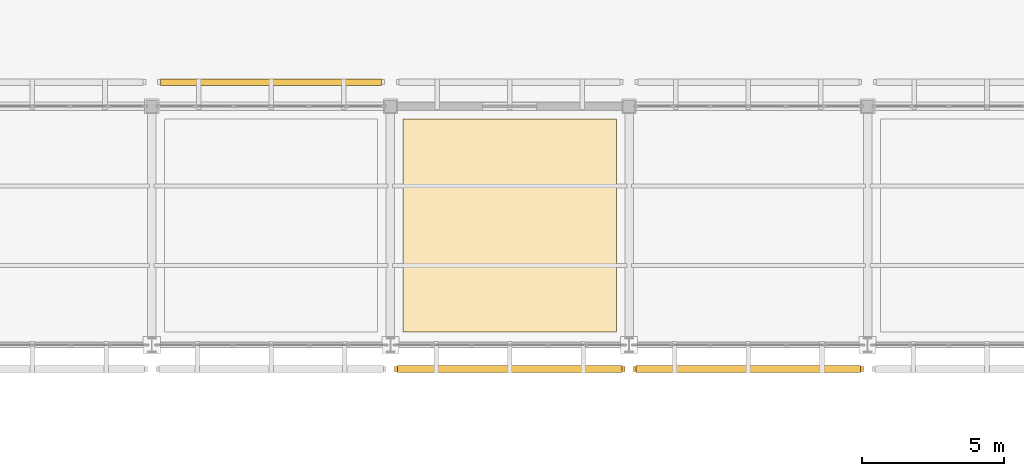
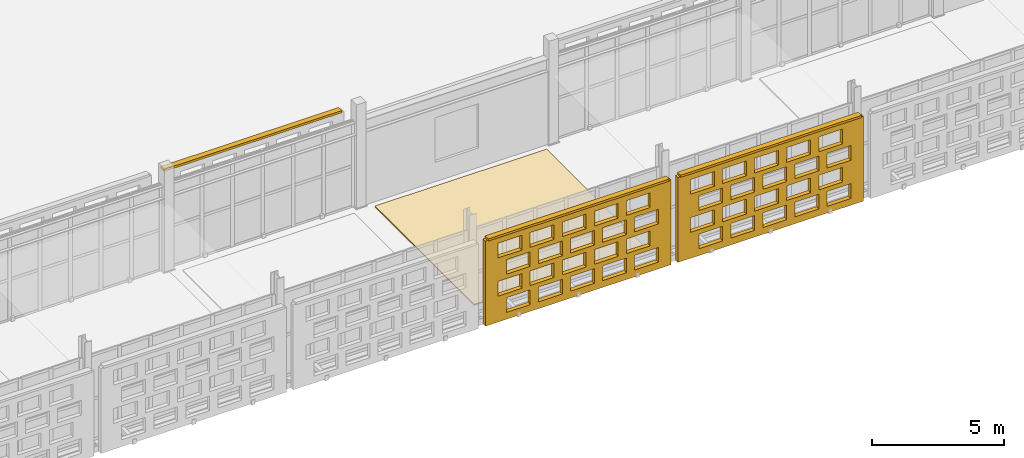
# One storey, part 170 of 203: 3 coverings, 3 shading devices, 40 openings.
"""IFC4 building model written with IfcOpenShell, lengths in metres."""

from ifc_helpers import new_model, si_unit, direction, frame, frame_2d, origin, origin_2d, place, context, subcontext, project, spatial, rectangle, extrude, material, layer, layer_set, type_object, element, save


model = new_model("IFC4")

# Units and contexts
model_context = context("Model", 3, precision=1e-05, world=origin(), true_north=direction((0.0, 1.0)))
body_context = subcontext(model_context, "Body", "Model", "MODEL_VIEW")
ifc_project = project(units=[si_unit("LENGTHUNIT", "METRE"), si_unit("AREAUNIT", "SQUARE_METRE"), si_unit("VOLUMEUNIT", "CUBIC_METRE"), si_unit("PLANEANGLEUNIT", "RADIAN"), si_unit("MASSUNIT", "GRAM", prefix="KILO")], contexts=[model_context])

# Site, building, storey
site_placement = place(None, origin())
site = spatial("IfcSite", under=ifc_project, at=site_placement, CompositionType="ELEMENT")
building_placement = place(site_placement, origin())
building = spatial("IfcBuilding", under=site, at=building_placement, Name="Varnapada Polytechnic", CompositionType="ELEMENT")
storey_placement = place(building_placement, frame((0.0, 0.0, 4.800048828125)))
storey = spatial("IfcBuildingStorey", under=building, at=storey_placement, Name="L01", CompositionType="ELEMENT", Elevation=4.800048828125)

# Covering
ifc_material_1 = material(Name="End-Grain Timber Studio Block Flooring", Category="wood")
ifc_layer_1 = layer(ifc_material_1, 0.054931640625)
ifc_layer_set_1 = layer_set([ifc_layer_1], Name="End-Grain Timber Studio Block Flooring")
covering_type_1 = type_object("IfcCoveringType", Name="Floor Finish FLR-04", PredefinedType="FLOORING", material=ifc_layer_set_1)
covering_1_placement = place(storey_placement, frame((79.800048828125, 88.199951171875, 0.0), z_axis=(0.0, 0.0, 1.0), x_axis=(1.0, 0.0, 0.0)))
element("IfcCovering", 1, at=covering_1_placement, inside=storey, type_object=covering_type_1, Name="L01 floor finish panel (10,11)", PredefinedType="FLOORING", context=body_context, shape_type="SweptSolid", body=[
    extrude(rectangle(XDim=7.5, YDim=7.5, at=origin_2d()), origin(), (0.0, 0.0, 1.0), 0.054931640625),
])

# Covering, openings
ifc_material_2 = material(Name="Earth-toned architectural terracotta screen block", Category="masonry")
ifc_layer_2 = layer(ifc_material_2, 0.1201171875)
ifc_layer_set_2 = layer_set([ifc_layer_2], Name="Earth-toned architectural terracotta screen block")
covering_type_2 = type_object("IfcCoveringType", Name="Terracotta Screen Cladding CLD-01", PredefinedType="CLADDING", material=ifc_layer_set_2)
covering_2_placement = place(storey_placement, frame((83.85009765625, 83.14990234375, 0.0), z_axis=(0.0, 0.0, 1.0), x_axis=(-1.0, 0.0, 0.0)))
covering_2 = element("IfcCovering", 2, at=covering_2_placement, inside=storey, type_object=covering_type_2, Name="L01 perforated terracotta block screen (68)", PredefinedType="CLADDING", context=body_context, shape_type="SweptSolid", body=[
    extrude(rectangle(XDim=8.10009765625, YDim=0.179931640625, at=frame_2d((4.050048828125, 0.0))), origin(), (0.0, 0.0, 1.0), 3.919921875),
])
opening_1_placement = place(covering_2_placement, frame((0.550048828125, 0.0, 0.313720703125)))
element("IfcOpeningElement", 3, at=opening_1_placement, cuts=covering_2, Name="Screen perforation TBS-L01-067.1", PredefinedType="OPENING", context=body_context, shape_type="SweptSolid", body=[
    extrude(rectangle(XDim=1.0400390625, YDim=0.679931640625, at=frame_2d((0.52001953125, 0.33984375))), frame((0.0, 0.099853515625, 0.0), z_axis=(0.0, -1.0, 0.0), x_axis=(1.0, 0.0, 0.0)), (0.0, 0.0, 1.0), 0.199951171875),
])
opening_2_placement = place(covering_2_placement, frame((1.949951171875, 0.0, 0.313720703125)))
element("IfcOpeningElement", 4, at=opening_2_placement, cuts=covering_2, Name="Screen perforation TBS-L01-067.2", PredefinedType="OPENING", context=body_context, shape_type="SweptSolid", body=[
    extrude(rectangle(XDim=1.0400390625, YDim=0.679931640625, at=frame_2d((0.52001953125, 0.33984375))), frame((0.0, 0.099853515625, 0.0), z_axis=(0.0, -1.0, 0.0), x_axis=(1.0, 0.0, 0.0)), (0.0, 0.0, 1.0), 0.199951171875),
])
opening_3_placement = place(covering_2_placement, frame((3.35009765625, 0.0, 0.313720703125)))
element("IfcOpeningElement", 5, at=opening_3_placement, cuts=covering_2, Name="Screen perforation TBS-L01-067.3", PredefinedType="OPENING", context=body_context, shape_type="SweptSolid", body=[
    extrude(rectangle(XDim=1.0400390625, YDim=0.679931640625, at=frame_2d((0.52001953125, 0.33984375))), frame((0.0, 0.099853515625, 0.0), z_axis=(0.0, -1.0, 0.0), x_axis=(1.0, 0.0, 0.0)), (0.0, 0.0, 1.0), 0.199951171875),
])
opening_4_placement = place(covering_2_placement, frame((4.75, 0.0, 0.313720703125)))
element("IfcOpeningElement", 6, at=opening_4_placement, cuts=covering_2, Name="Screen perforation TBS-L01-067.4", PredefinedType="OPENING", context=body_context, shape_type="SweptSolid", body=[
    extrude(rectangle(XDim=1.0400390625, YDim=0.679931640625, at=frame_2d((0.52001953125, 0.33984375))), frame((0.0, 0.099853515625, 0.0), z_axis=(0.0, -1.0, 0.0), x_axis=(1.0, 0.0, 0.0)), (0.0, 0.0, 1.0), 0.199951171875),
])
opening_5_placement = place(covering_2_placement, frame((6.14990234375, 0.0, 0.313720703125)))
element("IfcOpeningElement", 7, at=opening_5_placement, cuts=covering_2, Name="Screen perforation TBS-L01-067.5", PredefinedType="OPENING", context=body_context, shape_type="SweptSolid", body=[
    extrude(rectangle(XDim=1.0400390625, YDim=0.679931640625, at=frame_2d((0.52001953125, 0.33984375))), frame((0.0, 0.099853515625, 0.0), z_axis=(0.0, -1.0, 0.0), x_axis=(1.0, 0.0, 0.0)), (0.0, 0.0, 1.0), 0.199951171875),
])
opening_6_placement = place(covering_2_placement, frame((0.909912109375, 0.0, 1.195556640625)))
element("IfcOpeningElement", 8, at=opening_6_placement, cuts=covering_2, Name="Screen perforation TBS-L01-067.6", PredefinedType="OPENING", context=body_context, shape_type="SweptSolid", body=[
    extrude(rectangle(XDim=1.0400390625, YDim=0.679931640625, at=frame_2d((0.52001953125, 0.33984375))), frame((0.0, 0.099853515625, 0.0), z_axis=(0.0, -1.0, 0.0), x_axis=(1.0, 0.0, 0.0)), (0.0, 0.0, 1.0), 0.199951171875),
])
opening_7_placement = place(covering_2_placement, frame((2.31005859375, 0.0, 1.195556640625)))
element("IfcOpeningElement", 9, at=opening_7_placement, cuts=covering_2, Name="Screen perforation TBS-L01-067.7", PredefinedType="OPENING", context=body_context, shape_type="SweptSolid", body=[
    extrude(rectangle(XDim=1.0400390625, YDim=0.679931640625, at=frame_2d((0.52001953125, 0.33984375))), frame((0.0, 0.099853515625, 0.0), z_axis=(0.0, -1.0, 0.0), x_axis=(1.0, 0.0, 0.0)), (0.0, 0.0, 1.0), 0.199951171875),
])
opening_8_placement = place(covering_2_placement, frame((3.7099609375, 0.0, 1.195556640625)))
element("IfcOpeningElement", 10, at=opening_8_placement, cuts=covering_2, Name="Screen perforation TBS-L01-067.8", PredefinedType="OPENING", context=body_context, shape_type="SweptSolid", body=[
    extrude(rectangle(XDim=1.0400390625, YDim=0.679931640625, at=frame_2d((0.52001953125, 0.33984375))), frame((0.0, 0.099853515625, 0.0), z_axis=(0.0, -1.0, 0.0), x_axis=(1.0, 0.0, 0.0)), (0.0, 0.0, 1.0), 0.199951171875),
])
opening_9_placement = place(covering_2_placement, frame((5.110107421875, 0.0, 1.195556640625)))
element("IfcOpeningElement", 11, at=opening_9_placement, cuts=covering_2, Name="Screen perforation TBS-L01-067.9", PredefinedType="OPENING", context=body_context, shape_type="SweptSolid", body=[
    extrude(rectangle(XDim=1.0400390625, YDim=0.679931640625, at=frame_2d((0.52001953125, 0.33984375))), frame((0.0, 0.099853515625, 0.0), z_axis=(0.0, -1.0, 0.0), x_axis=(1.0, 0.0, 0.0)), (0.0, 0.0, 1.0), 0.199951171875),
])
opening_10_placement = place(covering_2_placement, frame((6.510009765625, 0.0, 1.195556640625)))
element("IfcOpeningElement", 12, at=opening_10_placement, cuts=covering_2, Name="Screen perforation TBS-L01-067.10", PredefinedType="OPENING", context=body_context, shape_type="SweptSolid", body=[
    extrude(rectangle(XDim=1.0400390625, YDim=0.679931640625, at=frame_2d((0.52001953125, 0.33984375))), frame((0.0, 0.099853515625, 0.0), z_axis=(0.0, -1.0, 0.0), x_axis=(1.0, 0.0, 0.0)), (0.0, 0.0, 1.0), 0.199951171875),
])
opening_11_placement = place(covering_2_placement, frame((0.550048828125, 0.0, 2.07763671875)))
element("IfcOpeningElement", 13, at=opening_11_placement, cuts=covering_2, Name="Screen perforation TBS-L01-067.11", PredefinedType="OPENING", context=body_context, shape_type="SweptSolid", body=[
    extrude(rectangle(XDim=1.0400390625, YDim=0.679931640625, at=frame_2d((0.52001953125, 0.33984375))), frame((0.0, 0.099853515625, 0.0), z_axis=(0.0, -1.0, 0.0), x_axis=(1.0, 0.0, 0.0)), (0.0, 0.0, 1.0), 0.199951171875),
])
opening_12_placement = place(covering_2_placement, frame((1.949951171875, 0.0, 2.07763671875)))
element("IfcOpeningElement", 14, at=opening_12_placement, cuts=covering_2, Name="Screen perforation TBS-L01-067.12", PredefinedType="OPENING", context=body_context, shape_type="SweptSolid", body=[
    extrude(rectangle(XDim=1.0400390625, YDim=0.679931640625, at=frame_2d((0.52001953125, 0.33984375))), frame((0.0, 0.099853515625, 0.0), z_axis=(0.0, -1.0, 0.0), x_axis=(1.0, 0.0, 0.0)), (0.0, 0.0, 1.0), 0.199951171875),
])
opening_13_placement = place(covering_2_placement, frame((3.35009765625, 0.0, 2.07763671875)))
element("IfcOpeningElement", 15, at=opening_13_placement, cuts=covering_2, Name="Screen perforation TBS-L01-067.13", PredefinedType="OPENING", context=body_context, shape_type="SweptSolid", body=[
    extrude(rectangle(XDim=1.0400390625, YDim=0.679931640625, at=frame_2d((0.52001953125, 0.33984375))), frame((0.0, 0.099853515625, 0.0), z_axis=(0.0, -1.0, 0.0), x_axis=(1.0, 0.0, 0.0)), (0.0, 0.0, 1.0), 0.199951171875),
])
opening_14_placement = place(covering_2_placement, frame((4.75, 0.0, 2.07763671875)))
element("IfcOpeningElement", 16, at=opening_14_placement, cuts=covering_2, Name="Screen perforation TBS-L01-067.14", PredefinedType="OPENING", context=body_context, shape_type="SweptSolid", body=[
    extrude(rectangle(XDim=1.0400390625, YDim=0.679931640625, at=frame_2d((0.52001953125, 0.33984375))), frame((0.0, 0.099853515625, 0.0), z_axis=(0.0, -1.0, 0.0), x_axis=(1.0, 0.0, 0.0)), (0.0, 0.0, 1.0), 0.199951171875),
])
opening_15_placement = place(covering_2_placement, frame((6.14990234375, 0.0, 2.07763671875)))
element("IfcOpeningElement", 17, at=opening_15_placement, cuts=covering_2, Name="Screen perforation TBS-L01-067.15", PredefinedType="OPENING", context=body_context, shape_type="SweptSolid", body=[
    extrude(rectangle(XDim=1.0400390625, YDim=0.679931640625, at=frame_2d((0.52001953125, 0.33984375))), frame((0.0, 0.099853515625, 0.0), z_axis=(0.0, -1.0, 0.0), x_axis=(1.0, 0.0, 0.0)), (0.0, 0.0, 1.0), 0.199951171875),
])
opening_16_placement = place(covering_2_placement, frame((0.909912109375, 0.0, 2.959716796875)))
element("IfcOpeningElement", 18, at=opening_16_placement, cuts=covering_2, Name="Screen perforation TBS-L01-067.16", PredefinedType="OPENING", context=body_context, shape_type="SweptSolid", body=[
    extrude(rectangle(XDim=1.0400390625, YDim=0.679931640625, at=frame_2d((0.52001953125, 0.33984375))), frame((0.0, 0.099853515625, 0.0), z_axis=(0.0, -1.0, 0.0), x_axis=(1.0, 0.0, 0.0)), (0.0, 0.0, 1.0), 0.199951171875),
])
opening_17_placement = place(covering_2_placement, frame((2.31005859375, 0.0, 2.959716796875)))
element("IfcOpeningElement", 19, at=opening_17_placement, cuts=covering_2, Name="Screen perforation TBS-L01-067.17", PredefinedType="OPENING", context=body_context, shape_type="SweptSolid", body=[
    extrude(rectangle(XDim=1.0400390625, YDim=0.679931640625, at=frame_2d((0.52001953125, 0.33984375))), frame((0.0, 0.099853515625, 0.0), z_axis=(0.0, -1.0, 0.0), x_axis=(1.0, 0.0, 0.0)), (0.0, 0.0, 1.0), 0.199951171875),
])
opening_18_placement = place(covering_2_placement, frame((3.7099609375, 0.0, 2.959716796875)))
element("IfcOpeningElement", 20, at=opening_18_placement, cuts=covering_2, Name="Screen perforation TBS-L01-067.18", PredefinedType="OPENING", context=body_context, shape_type="SweptSolid", body=[
    extrude(rectangle(XDim=1.0400390625, YDim=0.679931640625, at=frame_2d((0.52001953125, 0.33984375))), frame((0.0, 0.099853515625, 0.0), z_axis=(0.0, -1.0, 0.0), x_axis=(1.0, 0.0, 0.0)), (0.0, 0.0, 1.0), 0.199951171875),
])
opening_19_placement = place(covering_2_placement, frame((5.110107421875, 0.0, 2.959716796875)))
element("IfcOpeningElement", 21, at=opening_19_placement, cuts=covering_2, Name="Screen perforation TBS-L01-067.19", PredefinedType="OPENING", context=body_context, shape_type="SweptSolid", body=[
    extrude(rectangle(XDim=1.0400390625, YDim=0.679931640625, at=frame_2d((0.52001953125, 0.33984375))), frame((0.0, 0.099853515625, 0.0), z_axis=(0.0, -1.0, 0.0), x_axis=(1.0, 0.0, 0.0)), (0.0, 0.0, 1.0), 0.199951171875),
])
opening_20_placement = place(covering_2_placement, frame((6.510009765625, 0.0, 2.959716796875)))
element("IfcOpeningElement", 22, at=opening_20_placement, cuts=covering_2, Name="Screen perforation TBS-L01-067.20", PredefinedType="OPENING", context=body_context, shape_type="SweptSolid", body=[
    extrude(rectangle(XDim=1.0400390625, YDim=0.679931640625, at=frame_2d((0.52001953125, 0.33984375))), frame((0.0, 0.099853515625, 0.0), z_axis=(0.0, -1.0, 0.0), x_axis=(1.0, 0.0, 0.0)), (0.0, 0.0, 1.0), 0.199951171875),
])

covering_3_placement = place(storey_placement, frame((92.25, 83.14990234375, 0.0), z_axis=(0.0, 0.0, 1.0), x_axis=(-1.0, 0.0, 0.0)))
covering_3 = element("IfcCovering", 23, at=covering_3_placement, inside=storey, type_object=covering_type_2, Name="L01 perforated terracotta block screen (74)", PredefinedType="CLADDING", context=body_context, shape_type="SweptSolid", body=[
    extrude(rectangle(XDim=8.10009765625, YDim=0.179931640625, at=frame_2d((4.050048828125, 0.0))), origin(), (0.0, 0.0, 1.0), 3.919921875),
])
opening_21_placement = place(covering_3_placement, frame((0.550048828125, 0.0, 0.313720703125)))
element("IfcOpeningElement", 24, at=opening_21_placement, cuts=covering_3, Name="Screen perforation TBS-L01-073.1", PredefinedType="OPENING", context=body_context, shape_type="SweptSolid", body=[
    extrude(rectangle(XDim=1.0400390625, YDim=0.679931640625, at=frame_2d((0.52001953125, 0.33984375))), frame((0.0, 0.099853515625, 0.0), z_axis=(0.0, -1.0, 0.0), x_axis=(1.0, 0.0, 0.0)), (0.0, 0.0, 1.0), 0.199951171875),
])
opening_22_placement = place(covering_3_placement, frame((1.949951171875, 0.0, 0.313720703125)))
element("IfcOpeningElement", 25, at=opening_22_placement, cuts=covering_3, Name="Screen perforation TBS-L01-073.2", PredefinedType="OPENING", context=body_context, shape_type="SweptSolid", body=[
    extrude(rectangle(XDim=1.0400390625, YDim=0.679931640625, at=frame_2d((0.52001953125, 0.33984375))), frame((0.0, 0.099853515625, 0.0), z_axis=(0.0, -1.0, 0.0), x_axis=(1.0, 0.0, 0.0)), (0.0, 0.0, 1.0), 0.199951171875),
])
opening_23_placement = place(covering_3_placement, frame((3.35009765625, 0.0, 0.313720703125)))
element("IfcOpeningElement", 26, at=opening_23_placement, cuts=covering_3, Name="Screen perforation TBS-L01-073.3", PredefinedType="OPENING", context=body_context, shape_type="SweptSolid", body=[
    extrude(rectangle(XDim=1.0400390625, YDim=0.679931640625, at=frame_2d((0.52001953125, 0.33984375))), frame((0.0, 0.099853515625, 0.0), z_axis=(0.0, -1.0, 0.0), x_axis=(1.0, 0.0, 0.0)), (0.0, 0.0, 1.0), 0.199951171875),
])
opening_24_placement = place(covering_3_placement, frame((4.75, 0.0, 0.313720703125)))
element("IfcOpeningElement", 27, at=opening_24_placement, cuts=covering_3, Name="Screen perforation TBS-L01-073.4", PredefinedType="OPENING", context=body_context, shape_type="SweptSolid", body=[
    extrude(rectangle(XDim=1.0400390625, YDim=0.679931640625, at=frame_2d((0.52001953125, 0.33984375))), frame((0.0, 0.099853515625, 0.0), z_axis=(0.0, -1.0, 0.0), x_axis=(1.0, 0.0, 0.0)), (0.0, 0.0, 1.0), 0.199951171875),
])
opening_25_placement = place(covering_3_placement, frame((6.14990234375, 0.0, 0.313720703125)))
element("IfcOpeningElement", 28, at=opening_25_placement, cuts=covering_3, Name="Screen perforation TBS-L01-073.5", PredefinedType="OPENING", context=body_context, shape_type="SweptSolid", body=[
    extrude(rectangle(XDim=1.0400390625, YDim=0.679931640625, at=frame_2d((0.52001953125, 0.33984375))), frame((0.0, 0.099853515625, 0.0), z_axis=(0.0, -1.0, 0.0), x_axis=(1.0, 0.0, 0.0)), (0.0, 0.0, 1.0), 0.199951171875),
])
opening_26_placement = place(covering_3_placement, frame((0.909912109375, 0.0, 1.195556640625)))
element("IfcOpeningElement", 29, at=opening_26_placement, cuts=covering_3, Name="Screen perforation TBS-L01-073.6", PredefinedType="OPENING", context=body_context, shape_type="SweptSolid", body=[
    extrude(rectangle(XDim=1.0400390625, YDim=0.679931640625, at=frame_2d((0.52001953125, 0.33984375))), frame((0.0, 0.099853515625, 0.0), z_axis=(0.0, -1.0, 0.0), x_axis=(1.0, 0.0, 0.0)), (0.0, 0.0, 1.0), 0.199951171875),
])
opening_27_placement = place(covering_3_placement, frame((2.31005859375, 0.0, 1.195556640625)))
element("IfcOpeningElement", 30, at=opening_27_placement, cuts=covering_3, Name="Screen perforation TBS-L01-073.7", PredefinedType="OPENING", context=body_context, shape_type="SweptSolid", body=[
    extrude(rectangle(XDim=1.0400390625, YDim=0.679931640625, at=frame_2d((0.52001953125, 0.33984375))), frame((0.0, 0.099853515625, 0.0), z_axis=(0.0, -1.0, 0.0), x_axis=(1.0, 0.0, 0.0)), (0.0, 0.0, 1.0), 0.199951171875),
])
opening_28_placement = place(covering_3_placement, frame((3.7099609375, 0.0, 1.195556640625)))
element("IfcOpeningElement", 31, at=opening_28_placement, cuts=covering_3, Name="Screen perforation TBS-L01-073.8", PredefinedType="OPENING", context=body_context, shape_type="SweptSolid", body=[
    extrude(rectangle(XDim=1.0400390625, YDim=0.679931640625, at=frame_2d((0.52001953125, 0.33984375))), frame((0.0, 0.099853515625, 0.0), z_axis=(0.0, -1.0, 0.0), x_axis=(1.0, 0.0, 0.0)), (0.0, 0.0, 1.0), 0.199951171875),
])
opening_29_placement = place(covering_3_placement, frame((5.110107421875, 0.0, 1.195556640625)))
element("IfcOpeningElement", 32, at=opening_29_placement, cuts=covering_3, Name="Screen perforation TBS-L01-073.9", PredefinedType="OPENING", context=body_context, shape_type="SweptSolid", body=[
    extrude(rectangle(XDim=1.0400390625, YDim=0.679931640625, at=frame_2d((0.52001953125, 0.33984375))), frame((0.0, 0.099853515625, 0.0), z_axis=(0.0, -1.0, 0.0), x_axis=(1.0, 0.0, 0.0)), (0.0, 0.0, 1.0), 0.199951171875),
])
opening_30_placement = place(covering_3_placement, frame((6.510009765625, 0.0, 1.195556640625)))
element("IfcOpeningElement", 33, at=opening_30_placement, cuts=covering_3, Name="Screen perforation TBS-L01-073.10", PredefinedType="OPENING", context=body_context, shape_type="SweptSolid", body=[
    extrude(rectangle(XDim=1.0400390625, YDim=0.679931640625, at=frame_2d((0.52001953125, 0.33984375))), frame((0.0, 0.099853515625, 0.0), z_axis=(0.0, -1.0, 0.0), x_axis=(1.0, 0.0, 0.0)), (0.0, 0.0, 1.0), 0.199951171875),
])
opening_31_placement = place(covering_3_placement, frame((0.550048828125, 0.0, 2.07763671875)))
element("IfcOpeningElement", 34, at=opening_31_placement, cuts=covering_3, Name="Screen perforation TBS-L01-073.11", PredefinedType="OPENING", context=body_context, shape_type="SweptSolid", body=[
    extrude(rectangle(XDim=1.0400390625, YDim=0.679931640625, at=frame_2d((0.52001953125, 0.33984375))), frame((0.0, 0.099853515625, 0.0), z_axis=(0.0, -1.0, 0.0), x_axis=(1.0, 0.0, 0.0)), (0.0, 0.0, 1.0), 0.199951171875),
])
opening_32_placement = place(covering_3_placement, frame((1.949951171875, 0.0, 2.07763671875)))
element("IfcOpeningElement", 35, at=opening_32_placement, cuts=covering_3, Name="Screen perforation TBS-L01-073.12", PredefinedType="OPENING", context=body_context, shape_type="SweptSolid", body=[
    extrude(rectangle(XDim=1.0400390625, YDim=0.679931640625, at=frame_2d((0.52001953125, 0.33984375))), frame((0.0, 0.099853515625, 0.0), z_axis=(0.0, -1.0, 0.0), x_axis=(1.0, 0.0, 0.0)), (0.0, 0.0, 1.0), 0.199951171875),
])
opening_33_placement = place(covering_3_placement, frame((3.35009765625, 0.0, 2.07763671875)))
element("IfcOpeningElement", 36, at=opening_33_placement, cuts=covering_3, Name="Screen perforation TBS-L01-073.13", PredefinedType="OPENING", context=body_context, shape_type="SweptSolid", body=[
    extrude(rectangle(XDim=1.0400390625, YDim=0.679931640625, at=frame_2d((0.52001953125, 0.33984375))), frame((0.0, 0.099853515625, 0.0), z_axis=(0.0, -1.0, 0.0), x_axis=(1.0, 0.0, 0.0)), (0.0, 0.0, 1.0), 0.199951171875),
])
opening_34_placement = place(covering_3_placement, frame((4.75, 0.0, 2.07763671875)))
element("IfcOpeningElement", 37, at=opening_34_placement, cuts=covering_3, Name="Screen perforation TBS-L01-073.14", PredefinedType="OPENING", context=body_context, shape_type="SweptSolid", body=[
    extrude(rectangle(XDim=1.0400390625, YDim=0.679931640625, at=frame_2d((0.52001953125, 0.33984375))), frame((0.0, 0.099853515625, 0.0), z_axis=(0.0, -1.0, 0.0), x_axis=(1.0, 0.0, 0.0)), (0.0, 0.0, 1.0), 0.199951171875),
])
opening_35_placement = place(covering_3_placement, frame((6.14990234375, 0.0, 2.07763671875)))
element("IfcOpeningElement", 38, at=opening_35_placement, cuts=covering_3, Name="Screen perforation TBS-L01-073.15", PredefinedType="OPENING", context=body_context, shape_type="SweptSolid", body=[
    extrude(rectangle(XDim=1.0400390625, YDim=0.679931640625, at=frame_2d((0.52001953125, 0.33984375))), frame((0.0, 0.099853515625, 0.0), z_axis=(0.0, -1.0, 0.0), x_axis=(1.0, 0.0, 0.0)), (0.0, 0.0, 1.0), 0.199951171875),
])
opening_36_placement = place(covering_3_placement, frame((0.909912109375, 0.0, 2.959716796875)))
element("IfcOpeningElement", 39, at=opening_36_placement, cuts=covering_3, Name="Screen perforation TBS-L01-073.16", PredefinedType="OPENING", context=body_context, shape_type="SweptSolid", body=[
    extrude(rectangle(XDim=1.0400390625, YDim=0.679931640625, at=frame_2d((0.52001953125, 0.33984375))), frame((0.0, 0.099853515625, 0.0), z_axis=(0.0, -1.0, 0.0), x_axis=(1.0, 0.0, 0.0)), (0.0, 0.0, 1.0), 0.199951171875),
])
opening_37_placement = place(covering_3_placement, frame((2.31005859375, 0.0, 2.959716796875)))
element("IfcOpeningElement", 40, at=opening_37_placement, cuts=covering_3, Name="Screen perforation TBS-L01-073.17", PredefinedType="OPENING", context=body_context, shape_type="SweptSolid", body=[
    extrude(rectangle(XDim=1.0400390625, YDim=0.679931640625, at=frame_2d((0.52001953125, 0.33984375))), frame((0.0, 0.099853515625, 0.0), z_axis=(0.0, -1.0, 0.0), x_axis=(1.0, 0.0, 0.0)), (0.0, 0.0, 1.0), 0.199951171875),
])
opening_38_placement = place(covering_3_placement, frame((3.7099609375, 0.0, 2.959716796875)))
element("IfcOpeningElement", 41, at=opening_38_placement, cuts=covering_3, Name="Screen perforation TBS-L01-073.18", PredefinedType="OPENING", context=body_context, shape_type="SweptSolid", body=[
    extrude(rectangle(XDim=1.0400390625, YDim=0.679931640625, at=frame_2d((0.52001953125, 0.33984375))), frame((0.0, 0.099853515625, 0.0), z_axis=(0.0, -1.0, 0.0), x_axis=(1.0, 0.0, 0.0)), (0.0, 0.0, 1.0), 0.199951171875),
])
opening_39_placement = place(covering_3_placement, frame((5.110107421875, 0.0, 2.959716796875)))
element("IfcOpeningElement", 42, at=opening_39_placement, cuts=covering_3, Name="Screen perforation TBS-L01-073.19", PredefinedType="OPENING", context=body_context, shape_type="SweptSolid", body=[
    extrude(rectangle(XDim=1.0400390625, YDim=0.679931640625, at=frame_2d((0.52001953125, 0.33984375))), frame((0.0, 0.099853515625, 0.0), z_axis=(0.0, -1.0, 0.0), x_axis=(1.0, 0.0, 0.0)), (0.0, 0.0, 1.0), 0.199951171875),
])
opening_40_placement = place(covering_3_placement, frame((6.510009765625, 0.0, 2.959716796875)))
element("IfcOpeningElement", 43, at=opening_40_placement, cuts=covering_3, Name="Screen perforation TBS-L01-073.20", PredefinedType="OPENING", context=body_context, shape_type="SweptSolid", body=[
    extrude(rectangle(XDim=1.0400390625, YDim=0.679931640625, at=frame_2d((0.52001953125, 0.33984375))), frame((0.0, 0.099853515625, 0.0), z_axis=(0.0, -1.0, 0.0), x_axis=(1.0, 0.0, 0.0)), (0.0, 0.0, 1.0), 0.199951171875),
])

# Shading devices
ifc_layer_3 = layer(ifc_material_2, 0.179931640625)
ifc_layer_set_3 = layer_set([ifc_layer_3], Name="Earth-toned architectural terracotta screen block")
shading_device_type = type_object("IfcShadingDeviceType", Name="Terracotta Screen SCR-02", PredefinedType="USERDEFINED", material=ifc_layer_set_3)
shading_device_placement = place(storey_placement, frame((71.39990234375, 93.25, 3.909912109375), z_axis=(0.0, 0.0, 1.0), x_axis=(1.0, 0.0, 0.0)))
element("IfcShadingDevice", 44, at=shading_device_placement, inside=storey, type_object=shading_device_type, Name="L01 perforated terracotta screen hood 142", ObjectType="SCREEN", PredefinedType="USERDEFINED", context=body_context, shape_type="SweptSolid", body=[
    extrude(rectangle(XDim=7.780029296875, YDim=0.239990234375, at=origin_2d()), origin(), (0.0, 0.0, 1.0), 0.10009765625),
])
for number, where, z_axis, x_axis, name in (
    (45, (79.800048828125, 83.14990234375, 3.909912109375), (0.0, 0.0, 1.0), (-1.0, 0.0, 0.0), "L01 perforated terracotta screen hood 147"),
    (46, (88.199951171875, 83.14990234375, 3.909912109375), (0.0, 0.0, 1.0), (-1.0, 0.0, 0.0), "L01 perforated terracotta screen hood 153"),
):
    element("IfcShadingDevice", number, at=place(storey_placement, frame(where, z_axis=z_axis, x_axis=x_axis)), inside=storey, type_object=shading_device_type, Name=name, ObjectType="SCREEN", PredefinedType="USERDEFINED", context=body_context, shape_type="SweptSolid", body=[
        extrude(rectangle(XDim=7.89990234375, YDim=0.239990234375, at=origin_2d()), origin(), (0.0, 0.0, 1.0), 0.10009765625),
    ])

save(model, "model.ifc")
